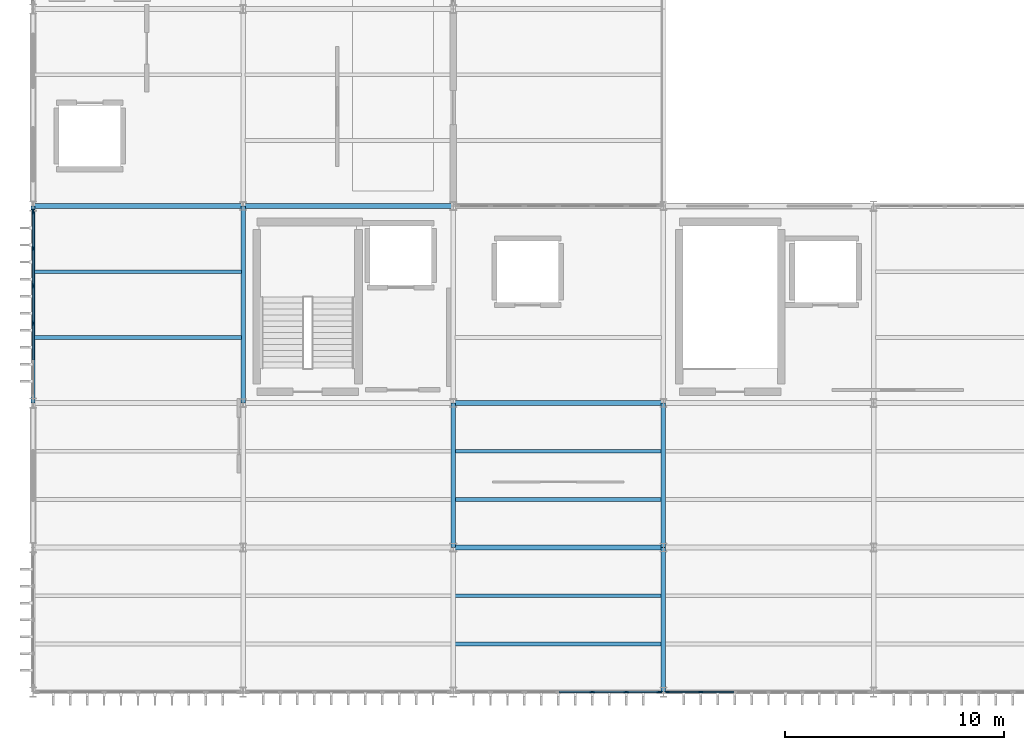
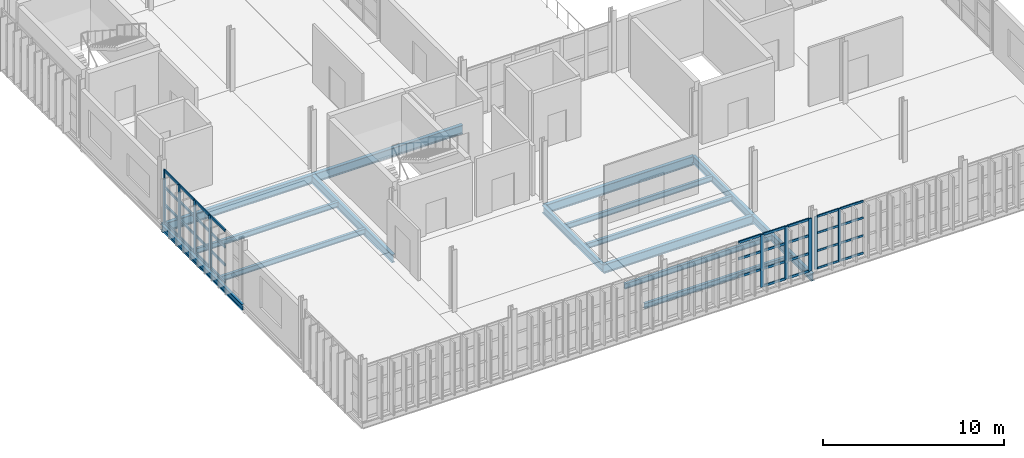
# One storey, part 6 of 38: 44 members, 15 beams, 3 elements without a shape of their own.
"""IFC4 building model written with IfcOpenShell, lengths in metres."""

from ifc_helpers import new_model, si_unit, direction, frame, origin, origin_2d, place, context, subcontext, project, spatial, rectangle, i_section, extrude, material, layer, layer_set, material_profile, profile_set, type_object, element, aggregate, save


model = new_model("IFC4")

# Units and contexts
model_context = context("Model", 3, precision=1e-05, world=origin(), true_north=direction((0.0, 1.0)))
body_context = subcontext(model_context, "Body", "Model", "MODEL_VIEW")
ifc_project = project(units=[si_unit("LENGTHUNIT", "METRE"), si_unit("AREAUNIT", "SQUARE_METRE"), si_unit("VOLUMEUNIT", "CUBIC_METRE"), si_unit("PLANEANGLEUNIT", "RADIAN"), si_unit("MASSUNIT", "GRAM", prefix="KILO")], contexts=[model_context])

# Site, building, storey
site_placement = place(None, origin())
site = spatial("IfcSite", under=ifc_project, at=site_placement, CompositionType="ELEMENT")
building_placement = place(site_placement, origin())
building = spatial("IfcBuilding", under=site, at=building_placement, Name="Zarnetskaya Central Station", CompositionType="ELEMENT")
storey_placement = place(building_placement, frame((0.0, 0.0, 18.60009765625)))
storey = spatial("IfcBuildingStorey", under=building, at=storey_placement, Name="L04", CompositionType="ELEMENT", Elevation=18.60009765625)

# Beams
ifc_material_1 = material(Name="Steel S355", Category="steel")
ifc_material_profile_1 = material_profile(ifc_material_1, i_section(OverallWidth=0.169921875, OverallDepth=0.360107421875, WebThickness=0.008056640625, FlangeThickness=0.0126953125, FilletRadius=0.01806640625, at=origin_2d()), Name="IPE 360")
ifc_profile_set_1 = profile_set([ifc_material_profile_1], Name="Steel S355")
beam_type_1 = type_object("IfcBeamType", Name="BM-SEC-360", PredefinedType="BEAM", material=ifc_profile_set_1)
for number, where, z_axis, x_axis, name in (
    (1, (0.080078125, 16.199951171875, -0.420166015625), (1.0, 0.0, 0.0), (0.0, 1.0, 0.0), "Secondary floor beam SEC-L04-Z1836-AB-34-1"),
    (2, (0.080078125, 19.199951171875, -0.420166015625), (1.0, 0.0, 0.0), (0.0, 1.0, 0.0), "Secondary floor beam SEC-L04-Z1836-AB-34-2"),
    (3, (19.280029296875, 2.199951171875, -0.420166015625), (1.0, 0.0, 0.0), (0.0, 1.0, 0.0), "Secondary floor beam SEC-L04-Z1836-CD-12-1"),
    (4, (19.280029296875, 4.39990234375, -0.420166015625), (1.0, 0.0, 0.0), (0.0, 1.0, 0.0), "Secondary floor beam SEC-L04-Z1836-CD-12-2"),
    (5, (19.280029296875, 8.800048828125, -0.420166015625), (1.0, 0.0, 0.0), (0.0, 1.0, 0.0), "Secondary floor beam SEC-L04-Z1836-CD-23-1"),
    (6, (19.280029296875, 11.0, -0.420166015625), (1.0, 0.0, 0.0), (0.0, 1.0, 0.0), "Secondary floor beam SEC-L04-Z1836-CD-23-2"),
):
    element("IfcBeam", number, at=place(storey_placement, frame(where, z_axis=z_axis, x_axis=x_axis)), inside=storey, type_object=beam_type_1, Name=name, PredefinedType="BEAM", context=body_context, shape_type="SweptSolid", body=[
        extrude(i_section(OverallWidth=0.169921875, OverallDepth=0.360107421875, WebThickness=0.008056640625, FlangeThickness=0.0126953125, FilletRadius=0.01806640625, at=origin_2d()), origin(), (0.0, 0.0, 1.0), 9.43994140625),
    ])
ifc_material_profile_2 = material_profile(ifc_material_1, i_section(OverallWidth=0.179931640625, OverallDepth=0.39990234375, WebThickness=0.008544921875, FlangeThickness=0.013427734375, FilletRadius=0.02099609375, at=origin_2d()), Name="IPE 400")
ifc_profile_set_2 = profile_set([ifc_material_profile_2], Name="Steel S355")
beam_type_2 = type_object("IfcBeamType", Name="BM-SPN-V5", PredefinedType="SPANDREL", material=ifc_profile_set_2)
beam_1_placement = place(storey_placement, frame((0.0, 13.199951171875, -0.440185546875), z_axis=(0.0, 1.0, 0.0), x_axis=(-1.0, 0.0, 0.0)))
element("IfcBeam", 7, at=beam_1_placement, inside=storey, type_object=beam_type_2, Name="Grid girder GY-L04-A-34", PredefinedType="SPANDREL", context=body_context, shape_type="SweptSolid", body=[
    extrude(i_section(OverallWidth=0.179931640625, OverallDepth=0.39990234375, WebThickness=0.008544921875, FlangeThickness=0.013427734375, FilletRadius=0.02099609375, at=origin_2d()), origin(), (0.0, 0.0, 1.0), 9.0),
])

# Curtain wall, members
ifc_material_2 = material(Name="Low-E insulated glass", Category="glass")
ifc_layer_1 = layer(ifc_material_2, 0.1640625, Name="Low-E insulated glass", Category="glass")
ifc_layer_set_1 = layer_set([ifc_layer_1], Name="Low-E insulated glass")
curtain_wall_type_1 = type_object("IfcCurtainWallType", Name="CW-SYS-07", PredefinedType="USERDEFINED", material=ifc_layer_set_1)
curtain_wall_1_placement = place(storey_placement, origin())
curtain_wall_1 = element("IfcCurtainWall", 8, at=curtain_wall_1_placement, inside=storey, type_object=curtain_wall_type_1, Name="Curtain wall CW-L04-059", ObjectType="CURTAIN WALL", PredefinedType="USERDEFINED")
ifc_material_3 = material(Name="Anodised aluminium", Category="aluminium")
ifc_material_profile_3 = material_profile(ifc_material_3, rectangle(XDim=0.070068359375, YDim=0.179931640625, at=origin_2d()), Name="ALU MULL 70x180")
ifc_profile_set_3 = profile_set([ifc_material_profile_3], Name="Anodised aluminium")
member_type_1 = type_object("IfcMemberType", Name="CW-MULL-180", PredefinedType="MULLION", material=ifc_profile_set_3)
member_1_placement = place(storey_placement, frame((30.5, 0.0, 0.0), z_axis=(0.0, 0.0, 1.0), x_axis=(0.0, -1.0, 0.0)))
member_1 = element("IfcMember", 9, at=member_1_placement, type_object=member_type_1, Name="CW-06 mullion 6", PredefinedType="MULLION", context=body_context, shape_type="SweptSolid", body=[
    extrude(rectangle(XDim=0.070068359375, YDim=0.179931640625, at=origin_2d()), origin(), (0.0, 0.0, 1.0), 3.559814453125),
])
member_2_placement = place(storey_placement, frame((28.985107421875, 0.0, 0.0), z_axis=(0.0, 0.0, 1.0), x_axis=(0.0, -1.0, 0.0)))
member_2 = element("IfcMember", 10, at=member_2_placement, type_object=member_type_1, Name="CW-06 mullion 7", PredefinedType="MULLION", context=body_context, shape_type="SweptSolid", body=[
    extrude(rectangle(XDim=0.070068359375, YDim=0.179931640625, at=origin_2d()), origin(), (0.0, 0.0, 1.0), 3.559814453125),
])

ifc_layer_2 = layer(ifc_material_2, 0.16796875, Name="Low-E insulated glass", Category="glass")
ifc_layer_set_2 = layer_set([ifc_layer_2], Name="Low-E insulated glass")
curtain_wall_type_2 = type_object("IfcCurtainWallType", Name="CW-SYS-08", PredefinedType="USERDEFINED", material=ifc_layer_set_2)
curtain_wall_2_placement = place(storey_placement, origin())
curtain_wall_2 = element("IfcCurtainWall", 11, at=curtain_wall_2_placement, inside=storey, type_object=curtain_wall_type_2, Name="Curtain wall CW-L04-048", ObjectType="CURTAIN WALL", PredefinedType="USERDEFINED")
ifc_material_profile_4 = material_profile(ifc_material_3, rectangle(XDim=0.080078125, YDim=0.219970703125, at=origin_2d()), Name="ALU MULL 80x220")
ifc_profile_set_4 = profile_set([ifc_material_profile_4], Name="Anodised aluminium")
member_type_2 = type_object("IfcMemberType", Name="CW-MULL-220", PredefinedType="MULLION", material=ifc_profile_set_4)
member_3_placement = place(storey_placement, frame((0.0, 16.844970703125, 0.0), z_axis=(0.0, 0.0, 1.0), x_axis=(-1.0, 0.0, 0.0)))
member_3 = element("IfcMember", 12, at=member_3_placement, type_object=member_type_2, Name="CW-16 mullion 3", PredefinedType="MULLION", context=body_context, shape_type="SweptSolid", body=[
    extrude(rectangle(XDim=0.080078125, YDim=0.219970703125, at=origin_2d()), origin(), (0.0, 0.0, 1.0), 3.559814453125),
])
member_4_placement = place(storey_placement, frame((0.0, 18.554931640625, 0.0), z_axis=(0.0, 0.0, 1.0), x_axis=(-1.0, 0.0, 0.0)))
member_4 = element("IfcMember", 13, at=member_4_placement, type_object=member_type_2, Name="CW-16 mullion 4", PredefinedType="MULLION", context=body_context, shape_type="SweptSolid", body=[
    extrude(rectangle(XDim=0.080078125, YDim=0.219970703125, at=origin_2d()), origin(), (0.0, 0.0, 1.0), 3.559814453125),
])
member_5_placement = place(storey_placement, frame((0.0, 20.264892578125, 0.0), z_axis=(0.0, 0.0, 1.0), x_axis=(-1.0, 0.0, 0.0)))
member_5 = element("IfcMember", 14, at=member_5_placement, type_object=member_type_2, Name="CW-16 mullion 5", PredefinedType="MULLION", context=body_context, shape_type="SweptSolid", body=[
    extrude(rectangle(XDim=0.080078125, YDim=0.219970703125, at=origin_2d()), origin(), (0.0, 0.0, 1.0), 3.559814453125),
])
member_6_placement = place(storey_placement, frame((0.0, 21.93505859375, 0.0), z_axis=(0.0, 0.0, 1.0), x_axis=(-1.0, 0.0, 0.0)))
member_6 = element("IfcMember", 15, at=member_6_placement, type_object=member_type_2, Name="CW-16 mullion 6", PredefinedType="MULLION", context=body_context, shape_type="SweptSolid", body=[
    extrude(rectangle(XDim=0.080078125, YDim=0.219970703125, at=origin_2d()), origin(), (0.0, 0.0, 1.0), 3.559814453125),
])

curtain_wall_3_placement = place(storey_placement, origin())
curtain_wall_3 = element("IfcCurtainWall", 16, at=curtain_wall_3_placement, inside=storey, type_object=curtain_wall_type_2, Name="Curtain wall CW-L04-060", ObjectType="CURTAIN WALL", PredefinedType="USERDEFINED")
member_7_placement = place(storey_placement, frame((28.610107421875, 0.0, 0.0), z_axis=(0.0, 0.0, 1.0), x_axis=(0.0, -1.0, 0.0)))
member_7 = element("IfcMember", 17, at=member_7_placement, type_object=member_type_2, Name="CW-16 mullion 1", PredefinedType="MULLION", context=body_context, shape_type="SweptSolid", body=[
    extrude(rectangle(XDim=0.080078125, YDim=0.219970703125, at=origin_2d()), origin(), (0.0, 0.0, 1.0), 3.559814453125),
])
member_8_placement = place(storey_placement, frame((27.10009765625, 0.0, 0.0), z_axis=(0.0, 0.0, 1.0), x_axis=(0.0, -1.0, 0.0)))
member_8 = element("IfcMember", 18, at=member_8_placement, type_object=member_type_2, Name="CW-16 mullion 2", PredefinedType="MULLION", context=body_context, shape_type="SweptSolid", body=[
    extrude(rectangle(XDim=0.080078125, YDim=0.219970703125, at=origin_2d()), origin(), (0.0, 0.0, 1.0), 3.559814453125),
])
member_9_placement = place(storey_placement, frame((25.550048828125, 0.0, 0.0), z_axis=(0.0, 0.0, 1.0), x_axis=(0.0, -1.0, 0.0)))
member_9 = element("IfcMember", 19, at=member_9_placement, type_object=member_type_2, Name="CW-16 mullion 3", PredefinedType="MULLION", context=body_context, shape_type="SweptSolid", body=[
    extrude(rectangle(XDim=0.080078125, YDim=0.219970703125, at=origin_2d()), origin(), (0.0, 0.0, 1.0), 3.559814453125),
])

# Member
ifc_material_profile_5 = material_profile(ifc_material_3, rectangle(XDim=0.070068359375, YDim=0.139892578125, at=origin_2d()), Name="ALU TRAN 70x140")
ifc_profile_set_5 = profile_set([ifc_material_profile_5], Name="Anodised aluminium")
member_type_3 = type_object("IfcMemberType", Name="CW-TRAN-140", PredefinedType="USERDEFINED", material=ifc_profile_set_5)
member_10_placement = place(storey_placement, frame((32.014892578125, 0.0, 0.034912109375), z_axis=(-1.0, 0.0, 0.0), x_axis=(0.0, -1.0, 0.0)))
member_10 = element("IfcMember", 20, at=member_10_placement, type_object=member_type_3, Name="CW-06 transom 5.1", ObjectType="TRANSOM", PredefinedType="USERDEFINED", context=body_context, shape_type="SweptSolid", body=[
    extrude(rectangle(XDim=0.070068359375, YDim=0.139892578125, at=origin_2d()), origin(), (0.0, 0.0, 1.0), 1.47998046875),
])

member_11_placement = place(storey_placement, frame((32.014892578125, 0.0, 1.2099609375), z_axis=(-1.0, 0.0, 0.0), x_axis=(0.0, -1.0, 0.0)))
member_11 = element("IfcMember", 21, at=member_11_placement, type_object=member_type_3, Name="CW-06 transom 5.2", ObjectType="TRANSOM", PredefinedType="USERDEFINED", context=body_context, shape_type="SweptSolid", body=[
    extrude(rectangle(XDim=0.070068359375, YDim=0.139892578125, at=origin_2d()), origin(), (0.0, 0.0, 1.0), 1.47998046875),
])

member_12_placement = place(storey_placement, frame((32.014892578125, 0.0, 2.4208984375), z_axis=(-1.0, 0.0, 0.0), x_axis=(0.0, -1.0, 0.0)))
member_12 = element("IfcMember", 22, at=member_12_placement, type_object=member_type_3, Name="CW-06 transom 5.3", ObjectType="TRANSOM", PredefinedType="USERDEFINED", context=body_context, shape_type="SweptSolid", body=[
    extrude(rectangle(XDim=0.070068359375, YDim=0.139892578125, at=origin_2d()), origin(), (0.0, 0.0, 1.0), 1.47998046875),
])

member_13_placement = place(storey_placement, frame((32.014892578125, 0.0, 3.52490234375), z_axis=(-1.0, 0.0, 0.0), x_axis=(0.0, -1.0, 0.0)))
member_13 = element("IfcMember", 23, at=member_13_placement, type_object=member_type_3, Name="CW-06 transom 5.4", ObjectType="TRANSOM", PredefinedType="USERDEFINED", context=body_context, shape_type="SweptSolid", body=[
    extrude(rectangle(XDim=0.070068359375, YDim=0.139892578125, at=origin_2d()), origin(), (0.0, 0.0, 1.0), 1.47998046875),
])

member_14_placement = place(storey_placement, frame((30.465087890625, 0.0, 0.034912109375), z_axis=(-1.0, 0.0, 0.0), x_axis=(0.0, -1.0, 0.0)))
member_14 = element("IfcMember", 24, at=member_14_placement, type_object=member_type_3, Name="CW-06 transom 6.1", ObjectType="TRANSOM", PredefinedType="USERDEFINED", context=body_context, shape_type="SweptSolid", body=[
    extrude(rectangle(XDim=0.070068359375, YDim=0.139892578125, at=origin_2d()), origin(), (0.0, 0.0, 1.0), 1.445068359375),
])

member_15_placement = place(storey_placement, frame((30.465087890625, 0.0, 1.2099609375), z_axis=(-1.0, 0.0, 0.0), x_axis=(0.0, -1.0, 0.0)))
member_15 = element("IfcMember", 25, at=member_15_placement, type_object=member_type_3, Name="CW-06 transom 6.2", ObjectType="TRANSOM", PredefinedType="USERDEFINED", context=body_context, shape_type="SweptSolid", body=[
    extrude(rectangle(XDim=0.070068359375, YDim=0.139892578125, at=origin_2d()), origin(), (0.0, 0.0, 1.0), 1.445068359375),
])

member_16_placement = place(storey_placement, frame((30.465087890625, 0.0, 2.4208984375), z_axis=(-1.0, 0.0, 0.0), x_axis=(0.0, -1.0, 0.0)))
member_16 = element("IfcMember", 26, at=member_16_placement, type_object=member_type_3, Name="CW-06 transom 6.3", ObjectType="TRANSOM", PredefinedType="USERDEFINED", context=body_context, shape_type="SweptSolid", body=[
    extrude(rectangle(XDim=0.070068359375, YDim=0.139892578125, at=origin_2d()), origin(), (0.0, 0.0, 1.0), 1.445068359375),
])

member_17_placement = place(storey_placement, frame((30.465087890625, 0.0, 3.52490234375), z_axis=(-1.0, 0.0, 0.0), x_axis=(0.0, -1.0, 0.0)))
member_17 = element("IfcMember", 27, at=member_17_placement, type_object=member_type_3, Name="CW-06 transom 6.4", ObjectType="TRANSOM", PredefinedType="USERDEFINED", context=body_context, shape_type="SweptSolid", body=[
    extrude(rectangle(XDim=0.070068359375, YDim=0.139892578125, at=origin_2d()), origin(), (0.0, 0.0, 1.0), 1.445068359375),
])

aggregate(curtain_wall_1, [member_1, member_2, member_10, member_11, member_12, member_13, member_14, member_15, member_16, member_17])

ifc_material_profile_6 = material_profile(ifc_material_3, rectangle(XDim=0.080078125, YDim=0.159912109375, at=origin_2d()), Name="ALU TRAN 80x160")
ifc_profile_set_6 = profile_set([ifc_material_profile_6], Name="Anodised aluminium")
member_type_4 = type_object("IfcMemberType", Name="CW-TRAN-160", PredefinedType="USERDEFINED", material=ifc_profile_set_6)
member_18_placement = place(storey_placement, frame((0.0, 15.175048828125, 0.039794921875), z_axis=(0.0, 1.0, 0.0), x_axis=(-1.0, 0.0, 0.0)))
member_18 = element("IfcMember", 28, at=member_18_placement, type_object=member_type_4, Name="CW-16 transom 2.1", ObjectType="TRANSOM", PredefinedType="USERDEFINED", context=body_context, shape_type="SweptSolid", body=[
    extrude(rectangle(XDim=0.080078125, YDim=0.159912109375, at=origin_2d()), origin(), (0.0, 0.0, 1.0), 1.6298828125),
])

member_19_placement = place(storey_placement, frame((0.0, 15.175048828125, 1.2099609375), z_axis=(0.0, 1.0, 0.0), x_axis=(-1.0, 0.0, 0.0)))
member_19 = element("IfcMember", 29, at=member_19_placement, type_object=member_type_4, Name="CW-16 transom 2.2", ObjectType="TRANSOM", PredefinedType="USERDEFINED", context=body_context, shape_type="SweptSolid", body=[
    extrude(rectangle(XDim=0.080078125, YDim=0.159912109375, at=origin_2d()), origin(), (0.0, 0.0, 1.0), 1.6298828125),
])

member_20_placement = place(storey_placement, frame((0.0, 15.175048828125, 2.4208984375), z_axis=(0.0, 1.0, 0.0), x_axis=(-1.0, 0.0, 0.0)))
member_20 = element("IfcMember", 30, at=member_20_placement, type_object=member_type_4, Name="CW-16 transom 2.3", ObjectType="TRANSOM", PredefinedType="USERDEFINED", context=body_context, shape_type="SweptSolid", body=[
    extrude(rectangle(XDim=0.080078125, YDim=0.159912109375, at=origin_2d()), origin(), (0.0, 0.0, 1.0), 1.6298828125),
])

member_21_placement = place(storey_placement, frame((0.0, 15.175048828125, 3.52001953125), z_axis=(0.0, 1.0, 0.0), x_axis=(-1.0, 0.0, 0.0)))
member_21 = element("IfcMember", 31, at=member_21_placement, type_object=member_type_4, Name="CW-16 transom 2.4", ObjectType="TRANSOM", PredefinedType="USERDEFINED", context=body_context, shape_type="SweptSolid", body=[
    extrude(rectangle(XDim=0.080078125, YDim=0.159912109375, at=origin_2d()), origin(), (0.0, 0.0, 1.0), 1.6298828125),
])

member_22_placement = place(storey_placement, frame((0.0, 16.885009765625, 0.039794921875), z_axis=(0.0, 1.0, 0.0), x_axis=(-1.0, 0.0, 0.0)))
member_22 = element("IfcMember", 32, at=member_22_placement, type_object=member_type_4, Name="CW-16 transom 3.1", ObjectType="TRANSOM", PredefinedType="USERDEFINED", context=body_context, shape_type="SweptSolid", body=[
    extrude(rectangle(XDim=0.080078125, YDim=0.159912109375, at=origin_2d()), origin(), (0.0, 0.0, 1.0), 1.6298828125),
])

member_23_placement = place(storey_placement, frame((0.0, 16.885009765625, 1.2099609375), z_axis=(0.0, 1.0, 0.0), x_axis=(-1.0, 0.0, 0.0)))
member_23 = element("IfcMember", 33, at=member_23_placement, type_object=member_type_4, Name="CW-16 transom 3.2", ObjectType="TRANSOM", PredefinedType="USERDEFINED", context=body_context, shape_type="SweptSolid", body=[
    extrude(rectangle(XDim=0.080078125, YDim=0.159912109375, at=origin_2d()), origin(), (0.0, 0.0, 1.0), 1.6298828125),
])

member_24_placement = place(storey_placement, frame((0.0, 16.885009765625, 2.4208984375), z_axis=(0.0, 1.0, 0.0), x_axis=(-1.0, 0.0, 0.0)))
member_24 = element("IfcMember", 34, at=member_24_placement, type_object=member_type_4, Name="CW-16 transom 3.3", ObjectType="TRANSOM", PredefinedType="USERDEFINED", context=body_context, shape_type="SweptSolid", body=[
    extrude(rectangle(XDim=0.080078125, YDim=0.159912109375, at=origin_2d()), origin(), (0.0, 0.0, 1.0), 1.6298828125),
])

member_25_placement = place(storey_placement, frame((0.0, 16.885009765625, 3.52001953125), z_axis=(0.0, 1.0, 0.0), x_axis=(-1.0, 0.0, 0.0)))
member_25 = element("IfcMember", 35, at=member_25_placement, type_object=member_type_4, Name="CW-16 transom 3.4", ObjectType="TRANSOM", PredefinedType="USERDEFINED", context=body_context, shape_type="SweptSolid", body=[
    extrude(rectangle(XDim=0.080078125, YDim=0.159912109375, at=origin_2d()), origin(), (0.0, 0.0, 1.0), 1.6298828125),
])

member_26_placement = place(storey_placement, frame((0.0, 18.594970703125, 0.039794921875), z_axis=(0.0, 1.0, 0.0), x_axis=(-1.0, 0.0, 0.0)))
member_26 = element("IfcMember", 36, at=member_26_placement, type_object=member_type_4, Name="CW-16 transom 4.1", ObjectType="TRANSOM", PredefinedType="USERDEFINED", context=body_context, shape_type="SweptSolid", body=[
    extrude(rectangle(XDim=0.080078125, YDim=0.159912109375, at=origin_2d()), origin(), (0.0, 0.0, 1.0), 1.630126953125),
])

member_27_placement = place(storey_placement, frame((0.0, 18.594970703125, 1.2099609375), z_axis=(0.0, 1.0, 0.0), x_axis=(-1.0, 0.0, 0.0)))
member_27 = element("IfcMember", 37, at=member_27_placement, type_object=member_type_4, Name="CW-16 transom 4.2", ObjectType="TRANSOM", PredefinedType="USERDEFINED", context=body_context, shape_type="SweptSolid", body=[
    extrude(rectangle(XDim=0.080078125, YDim=0.159912109375, at=origin_2d()), origin(), (0.0, 0.0, 1.0), 1.630126953125),
])

member_28_placement = place(storey_placement, frame((0.0, 18.594970703125, 2.4208984375), z_axis=(0.0, 1.0, 0.0), x_axis=(-1.0, 0.0, 0.0)))
member_28 = element("IfcMember", 38, at=member_28_placement, type_object=member_type_4, Name="CW-16 transom 4.3", ObjectType="TRANSOM", PredefinedType="USERDEFINED", context=body_context, shape_type="SweptSolid", body=[
    extrude(rectangle(XDim=0.080078125, YDim=0.159912109375, at=origin_2d()), origin(), (0.0, 0.0, 1.0), 1.630126953125),
])

member_29_placement = place(storey_placement, frame((0.0, 18.594970703125, 3.52001953125), z_axis=(0.0, 1.0, 0.0), x_axis=(-1.0, 0.0, 0.0)))
member_29 = element("IfcMember", 39, at=member_29_placement, type_object=member_type_4, Name="CW-16 transom 4.4", ObjectType="TRANSOM", PredefinedType="USERDEFINED", context=body_context, shape_type="SweptSolid", body=[
    extrude(rectangle(XDim=0.080078125, YDim=0.159912109375, at=origin_2d()), origin(), (0.0, 0.0, 1.0), 1.630126953125),
])

member_30_placement = place(storey_placement, frame((0.0, 20.304931640625, 0.039794921875), z_axis=(0.0, 1.0, 0.0), x_axis=(-1.0, 0.0, 0.0)))
member_30 = element("IfcMember", 40, at=member_30_placement, type_object=member_type_4, Name="CW-16 transom 5.1", ObjectType="TRANSOM", PredefinedType="USERDEFINED", context=body_context, shape_type="SweptSolid", body=[
    extrude(rectangle(XDim=0.080078125, YDim=0.159912109375, at=origin_2d()), origin(), (0.0, 0.0, 1.0), 1.590087890625),
])

member_31_placement = place(storey_placement, frame((0.0, 20.304931640625, 1.2099609375), z_axis=(0.0, 1.0, 0.0), x_axis=(-1.0, 0.0, 0.0)))
member_31 = element("IfcMember", 41, at=member_31_placement, type_object=member_type_4, Name="CW-16 transom 5.2", ObjectType="TRANSOM", PredefinedType="USERDEFINED", context=body_context, shape_type="SweptSolid", body=[
    extrude(rectangle(XDim=0.080078125, YDim=0.159912109375, at=origin_2d()), origin(), (0.0, 0.0, 1.0), 1.590087890625),
])

member_32_placement = place(storey_placement, frame((0.0, 20.304931640625, 2.4208984375), z_axis=(0.0, 1.0, 0.0), x_axis=(-1.0, 0.0, 0.0)))
member_32 = element("IfcMember", 42, at=member_32_placement, type_object=member_type_4, Name="CW-16 transom 5.3", ObjectType="TRANSOM", PredefinedType="USERDEFINED", context=body_context, shape_type="SweptSolid", body=[
    extrude(rectangle(XDim=0.080078125, YDim=0.159912109375, at=origin_2d()), origin(), (0.0, 0.0, 1.0), 1.590087890625),
])

member_33_placement = place(storey_placement, frame((0.0, 20.304931640625, 3.52001953125), z_axis=(0.0, 1.0, 0.0), x_axis=(-1.0, 0.0, 0.0)))
member_33 = element("IfcMember", 43, at=member_33_placement, type_object=member_type_4, Name="CW-16 transom 5.4", ObjectType="TRANSOM", PredefinedType="USERDEFINED", context=body_context, shape_type="SweptSolid", body=[
    extrude(rectangle(XDim=0.080078125, YDim=0.159912109375, at=origin_2d()), origin(), (0.0, 0.0, 1.0), 1.590087890625),
])

aggregate(curtain_wall_2, [member_3, member_4, member_5, member_6, member_18, member_19, member_20, member_21, member_22, member_23, member_24, member_25, member_26, member_27, member_28, member_29, member_30, member_31, member_32, member_33])

member_34_placement = place(storey_placement, frame((28.570068359375, 0.0, 0.039794921875), z_axis=(-1.0, 0.0, 0.0), x_axis=(0.0, -1.0, 0.0)))
member_34 = element("IfcMember", 44, at=member_34_placement, type_object=member_type_4, Name="CW-16 transom 1.1", ObjectType="TRANSOM", PredefinedType="USERDEFINED", context=body_context, shape_type="SweptSolid", body=[
    extrude(rectangle(XDim=0.080078125, YDim=0.159912109375, at=origin_2d()), origin(), (0.0, 0.0, 1.0), 1.43017578125),
])

member_35_placement = place(storey_placement, frame((28.570068359375, 0.0, 1.2099609375), z_axis=(-1.0, 0.0, 0.0), x_axis=(0.0, -1.0, 0.0)))
member_35 = element("IfcMember", 45, at=member_35_placement, type_object=member_type_4, Name="CW-16 transom 1.2", ObjectType="TRANSOM", PredefinedType="USERDEFINED", context=body_context, shape_type="SweptSolid", body=[
    extrude(rectangle(XDim=0.080078125, YDim=0.159912109375, at=origin_2d()), origin(), (0.0, 0.0, 1.0), 1.43017578125),
])

member_36_placement = place(storey_placement, frame((28.570068359375, 0.0, 2.4208984375), z_axis=(-1.0, 0.0, 0.0), x_axis=(0.0, -1.0, 0.0)))
member_36 = element("IfcMember", 46, at=member_36_placement, type_object=member_type_4, Name="CW-16 transom 1.3", ObjectType="TRANSOM", PredefinedType="USERDEFINED", context=body_context, shape_type="SweptSolid", body=[
    extrude(rectangle(XDim=0.080078125, YDim=0.159912109375, at=origin_2d()), origin(), (0.0, 0.0, 1.0), 1.43017578125),
])

member_37_placement = place(storey_placement, frame((28.570068359375, 0.0, 3.52001953125), z_axis=(-1.0, 0.0, 0.0), x_axis=(0.0, -1.0, 0.0)))
member_37 = element("IfcMember", 47, at=member_37_placement, type_object=member_type_4, Name="CW-16 transom 1.4", ObjectType="TRANSOM", PredefinedType="USERDEFINED", context=body_context, shape_type="SweptSolid", body=[
    extrude(rectangle(XDim=0.080078125, YDim=0.159912109375, at=origin_2d()), origin(), (0.0, 0.0, 1.0), 1.43017578125),
])

member_38_placement = place(storey_placement, frame((27.06005859375, 0.0, 0.039794921875), z_axis=(-1.0, 0.0, 0.0), x_axis=(0.0, -1.0, 0.0)))
member_38 = element("IfcMember", 48, at=member_38_placement, type_object=member_type_4, Name="CW-16 transom 2.1", ObjectType="TRANSOM", PredefinedType="USERDEFINED", context=body_context, shape_type="SweptSolid", body=[
    extrude(rectangle(XDim=0.080078125, YDim=0.159912109375, at=origin_2d()), origin(), (0.0, 0.0, 1.0), 1.469970703125),
])

member_39_placement = place(storey_placement, frame((27.06005859375, 0.0, 1.2099609375), z_axis=(-1.0, 0.0, 0.0), x_axis=(0.0, -1.0, 0.0)))
member_39 = element("IfcMember", 49, at=member_39_placement, type_object=member_type_4, Name="CW-16 transom 2.2", ObjectType="TRANSOM", PredefinedType="USERDEFINED", context=body_context, shape_type="SweptSolid", body=[
    extrude(rectangle(XDim=0.080078125, YDim=0.159912109375, at=origin_2d()), origin(), (0.0, 0.0, 1.0), 1.469970703125),
])

member_40_placement = place(storey_placement, frame((27.06005859375, 0.0, 2.4208984375), z_axis=(-1.0, 0.0, 0.0), x_axis=(0.0, -1.0, 0.0)))
member_40 = element("IfcMember", 50, at=member_40_placement, type_object=member_type_4, Name="CW-16 transom 2.3", ObjectType="TRANSOM", PredefinedType="USERDEFINED", context=body_context, shape_type="SweptSolid", body=[
    extrude(rectangle(XDim=0.080078125, YDim=0.159912109375, at=origin_2d()), origin(), (0.0, 0.0, 1.0), 1.469970703125),
])

member_41_placement = place(storey_placement, frame((27.06005859375, 0.0, 3.52001953125), z_axis=(-1.0, 0.0, 0.0), x_axis=(0.0, -1.0, 0.0)))
member_41 = element("IfcMember", 51, at=member_41_placement, type_object=member_type_4, Name="CW-16 transom 2.4", ObjectType="TRANSOM", PredefinedType="USERDEFINED", context=body_context, shape_type="SweptSolid", body=[
    extrude(rectangle(XDim=0.080078125, YDim=0.159912109375, at=origin_2d()), origin(), (0.0, 0.0, 1.0), 1.469970703125),
])

member_42_placement = place(storey_placement, frame((25.510009765625, 0.0, 1.2099609375), z_axis=(-1.0, 0.0, 0.0), x_axis=(0.0, -1.0, 0.0)))
member_42 = element("IfcMember", 52, at=member_42_placement, type_object=member_type_4, Name="CW-16 transom 3.2", ObjectType="TRANSOM", PredefinedType="USERDEFINED", context=body_context, shape_type="SweptSolid", body=[
    extrude(rectangle(XDim=0.080078125, YDim=0.159912109375, at=origin_2d()), origin(), (0.0, 0.0, 1.0), 1.469970703125),
])

member_43_placement = place(storey_placement, frame((25.510009765625, 0.0, 2.4208984375), z_axis=(-1.0, 0.0, 0.0), x_axis=(0.0, -1.0, 0.0)))
member_43 = element("IfcMember", 53, at=member_43_placement, type_object=member_type_4, Name="CW-16 transom 3.3", ObjectType="TRANSOM", PredefinedType="USERDEFINED", context=body_context, shape_type="SweptSolid", body=[
    extrude(rectangle(XDim=0.080078125, YDim=0.159912109375, at=origin_2d()), origin(), (0.0, 0.0, 1.0), 1.469970703125),
])

member_44_placement = place(storey_placement, frame((25.510009765625, 0.0, 3.52001953125), z_axis=(-1.0, 0.0, 0.0), x_axis=(0.0, -1.0, 0.0)))
member_44 = element("IfcMember", 54, at=member_44_placement, type_object=member_type_4, Name="CW-16 transom 3.4", ObjectType="TRANSOM", PredefinedType="USERDEFINED", context=body_context, shape_type="SweptSolid", body=[
    extrude(rectangle(XDim=0.080078125, YDim=0.159912109375, at=origin_2d()), origin(), (0.0, 0.0, 1.0), 1.469970703125),
])

aggregate(curtain_wall_3, [member_7, member_8, member_9, member_34, member_35, member_36, member_37, member_38, member_39, member_40, member_41, member_42, member_43, member_44])

# Beams
ifc_material_profile_7 = material_profile(ifc_material_1, i_section(OverallWidth=0.199951171875, OverallDepth=0.5, WebThickness=0.01025390625, FlangeThickness=0.01611328125, FilletRadius=0.02099609375, at=origin_2d()), Name="IPE 500")
ifc_profile_set_7 = profile_set([ifc_material_profile_7], Name="Steel S355")
beam_type_3 = type_object("IfcBeamType", Name="GD-FLR-500", PredefinedType="USERDEFINED", material=ifc_profile_set_7)
beam_2_placement = place(storey_placement, frame((19.199951171875, 6.60009765625, -0.489990234375), z_axis=(0.0, 1.0, 0.0), x_axis=(-1.0, 0.0, 0.0)))
element("IfcBeam", 55, at=beam_2_placement, inside=storey, type_object=beam_type_3, Name="Grid girder GY-L04-C-23", ObjectType="GIRDER", PredefinedType="USERDEFINED", context=body_context, shape_type="SweptSolid", body=[
    extrude(i_section(OverallWidth=0.199951171875, OverallDepth=0.5, WebThickness=0.01025390625, FlangeThickness=0.01611328125, FilletRadius=0.02099609375, at=origin_2d()), origin(), (0.0, 0.0, 1.0), 6.599853515625),
])
beam_3_placement = place(storey_placement, frame((28.800048828125, 0.0, -0.489990234375), z_axis=(0.0, 1.0, 0.0), x_axis=(-1.0, 0.0, 0.0)))
element("IfcBeam", 56, at=beam_3_placement, inside=storey, type_object=beam_type_3, Name="Grid girder GY-L04-D-12", ObjectType="GIRDER", PredefinedType="USERDEFINED", context=body_context, shape_type="SweptSolid", body=[
    extrude(i_section(OverallWidth=0.199951171875, OverallDepth=0.5, WebThickness=0.01025390625, FlangeThickness=0.01611328125, FilletRadius=0.02099609375, at=origin_2d()), origin(), (0.0, 0.0, 1.0), 6.60009765625),
])
beam_4_placement = place(storey_placement, frame((28.800048828125, 6.60009765625, -0.489990234375), z_axis=(0.0, 1.0, 0.0), x_axis=(-1.0, 0.0, 0.0)))
element("IfcBeam", 57, at=beam_4_placement, inside=storey, type_object=beam_type_3, Name="Grid girder GY-L04-D-23", ObjectType="GIRDER", PredefinedType="USERDEFINED", context=body_context, shape_type="SweptSolid", body=[
    extrude(i_section(OverallWidth=0.199951171875, OverallDepth=0.5, WebThickness=0.01025390625, FlangeThickness=0.01611328125, FilletRadius=0.02099609375, at=origin_2d()), origin(), (0.0, 0.0, 1.0), 6.599853515625),
])
ifc_material_profile_8 = material_profile(ifc_material_1, i_section(OverallWidth=0.2099609375, OverallDepth=0.550048828125, WebThickness=0.010986328125, FlangeThickness=0.01708984375, FilletRadius=0.02392578125, at=origin_2d()), Name="IPE 550")
ifc_profile_set_8 = profile_set([ifc_material_profile_8], Name="Steel S355")
beam_type_4 = type_object("IfcBeamType", Name="GD-FLR-550", PredefinedType="USERDEFINED", material=ifc_profile_set_8)
beam_5_placement = place(storey_placement, frame((9.60009765625, 13.199951171875, -0.51513671875), z_axis=(0.0, 1.0, 0.0), x_axis=(-1.0, 0.0, 0.0)))
element("IfcBeam", 58, at=beam_5_placement, inside=storey, type_object=beam_type_4, Name="Grid girder GY-L04-B-34", ObjectType="GIRDER", PredefinedType="USERDEFINED", context=body_context, shape_type="SweptSolid", body=[
    extrude(i_section(OverallWidth=0.2099609375, OverallDepth=0.550048828125, WebThickness=0.010986328125, FlangeThickness=0.01708984375, FilletRadius=0.02392578125, at=origin_2d()), origin(), (0.0, 0.0, 1.0), 9.0),
])
ifc_material_profile_9 = material_profile(ifc_material_1, i_section(OverallWidth=0.219970703125, OverallDepth=0.60009765625, WebThickness=0.011962890625, FlangeThickness=0.01904296875, FilletRadius=0.02392578125, at=origin_2d()), Name="IPE 600")
ifc_profile_set_9 = profile_set([ifc_material_profile_9], Name="Steel S355")
beam_type_5 = type_object("IfcBeamType", Name="GD-FLR-600", PredefinedType="USERDEFINED", material=ifc_profile_set_9)
beam_6_placement = place(storey_placement, frame((0.0, 22.199951171875, -0.5400390625), z_axis=(1.0, 0.0, 0.0), x_axis=(0.0, 1.0, 0.0)))
element("IfcBeam", 59, at=beam_6_placement, inside=storey, type_object=beam_type_5, Name="Grid girder GX-L04-4-AB", ObjectType="GIRDER", PredefinedType="USERDEFINED", context=body_context, shape_type="SweptSolid", body=[
    extrude(i_section(OverallWidth=0.219970703125, OverallDepth=0.60009765625, WebThickness=0.011962890625, FlangeThickness=0.01904296875, FilletRadius=0.02392578125, at=origin_2d()), origin(), (0.0, 0.0, 1.0), 9.60009765625),
])
beam_7_placement = place(storey_placement, frame((9.60009765625, 22.199951171875, -0.5400390625), z_axis=(1.0, 0.0, 0.0), x_axis=(0.0, 1.0, 0.0)))
element("IfcBeam", 60, at=beam_7_placement, inside=storey, type_object=beam_type_5, Name="Grid girder GX-L04-4-BC", ObjectType="GIRDER", PredefinedType="USERDEFINED", context=body_context, shape_type="SweptSolid", body=[
    extrude(i_section(OverallWidth=0.219970703125, OverallDepth=0.60009765625, WebThickness=0.011962890625, FlangeThickness=0.01904296875, FilletRadius=0.02392578125, at=origin_2d()), origin(), (0.0, 0.0, 1.0), 9.599853515625),
])
for number, where, z_axis, x_axis, name in (
    (61, (19.199951171875, 6.60009765625, -0.5400390625), (1.0, 0.0, 0.0), (0.0, 1.0, 0.0), "Grid girder GX-L04-2-CD"),
    (62, (19.199951171875, 13.199951171875, -0.5400390625), (1.0, 0.0, 0.0), (0.0, 1.0, 0.0), "Grid girder GX-L04-3-CD"),
):
    element("IfcBeam", number, at=place(storey_placement, frame(where, z_axis=z_axis, x_axis=x_axis)), inside=storey, type_object=beam_type_5, Name=name, ObjectType="GIRDER", PredefinedType="USERDEFINED", context=body_context, shape_type="SweptSolid", body=[
        extrude(i_section(OverallWidth=0.219970703125, OverallDepth=0.60009765625, WebThickness=0.011962890625, FlangeThickness=0.01904296875, FilletRadius=0.02392578125, at=origin_2d()), origin(), (0.0, 0.0, 1.0), 9.60009765625),
    ])

save(model, "model.ifc")
